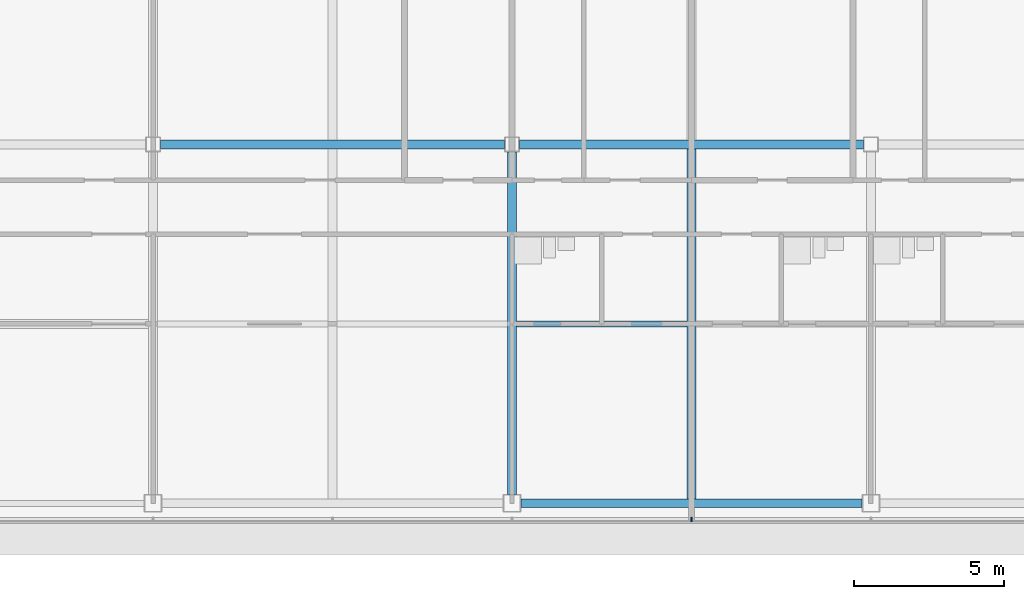
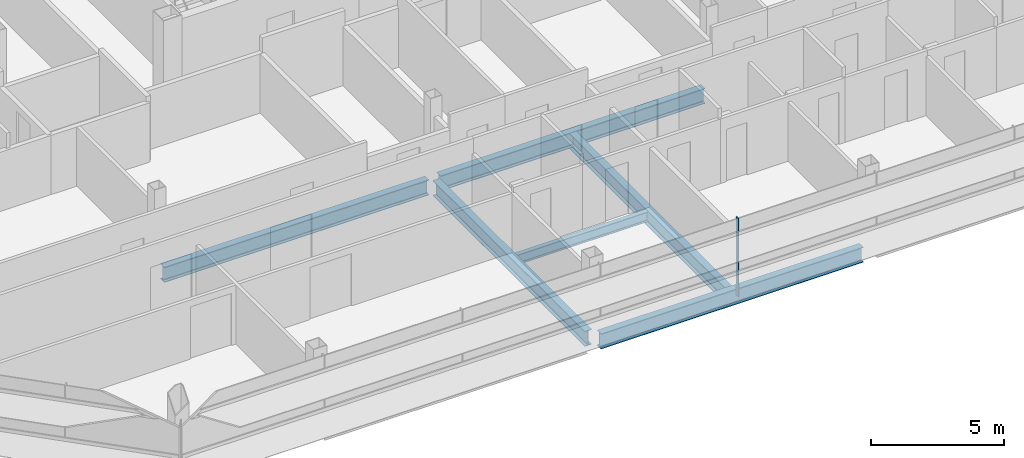
# One storey, part 4 of 28: 6 beams, 1 member, 1 element without a shape of its own.
"""IFC4 building model written with IfcOpenShell, lengths in metres."""

from ifc_helpers import new_model, si_unit, direction, frame, origin, origin_2d, place, context, subcontext, project, spatial, rectangle, i_section, extrude, material, material_profile, profile_set, type_object, element, aggregate, save


model = new_model("IFC4")

# Units and contexts
model_context = context("Model", 3, precision=1e-05, world=origin(), true_north=direction((0.0, 1.0)))
body_context = subcontext(model_context, "Body", "Model", "MODEL_VIEW")
ifc_project = project(units=[si_unit("LENGTHUNIT", "METRE"), si_unit("AREAUNIT", "SQUARE_METRE"), si_unit("VOLUMEUNIT", "CUBIC_METRE"), si_unit("PLANEANGLEUNIT", "RADIAN"), si_unit("MASSUNIT", "GRAM", prefix="KILO")], contexts=[model_context])

# Site, building, storey
site_placement = place(None, origin())
site = spatial("IfcSite", under=ifc_project, at=site_placement, CompositionType="ELEMENT")
building_placement = place(site_placement, origin())
building = spatial("IfcBuilding", under=site, at=building_placement, Name="Sorahane Residences", CompositionType="ELEMENT")
storey_placement = place(building_placement, frame((0.0, 0.0, 250.39990234375)))
storey = spatial("IfcBuildingStorey", under=building, at=storey_placement, Name="L59", CompositionType="ELEMENT", Elevation=250.39990234375)

# Curtain wall, member
ifc_material_1 = material(Name="Dark low-e glass and black anodised aluminium", Category="aluminium")
curtain_wall_type = type_object("IfcCurtainWallType", Name="Curtain wall CW-1 Typical unitised wall", PredefinedType="NOTDEFINED", material=ifc_material_1)
curtain_wall_placement = place(storey_placement, origin())
curtain_wall = element("IfcCurtainWall", 1, at=curtain_wall_placement, inside=storey, type_object=curtain_wall_type, Name="CW-1 curtain wall L59 S1", PredefinedType="NOTDEFINED")
ifc_material_2 = material(Name="Black anodised aluminium", Category="aluminium")
ifc_material_profile_1 = material_profile(ifc_material_2, rectangle(XDim=0.159912109375, YDim=0.050048828125, at=origin_2d()), Name="Curtain wall mullion CW-1 black anodised aluminium 50x160")
ifc_profile_set_1 = profile_set([ifc_material_profile_1], Name="Black anodised aluminium")
member_type = type_object("IfcMemberType", Name="Curtain wall mullion CW-1 black anodised aluminium 50x160", PredefinedType="MULLION", material=ifc_profile_set_1)
member_placement = place(storey_placement, frame((18.0, -0.5400390625, -0.179931640625), z_axis=(0.0, 0.0, 1.0), x_axis=(0.0, -1.0, 0.0)))
member = element("IfcMember", 2, at=member_placement, type_object=member_type, Name="CW-1 mullion L59 S1.5", PredefinedType="MULLION", context=body_context, shape_type="SweptSolid", body=[
    extrude(rectangle(XDim=0.159912109375, YDim=0.050048828125, at=origin_2d()), origin(), (0.0, 0.0, 1.0), 3.60009765625),
])
aggregate(curtain_wall, [member])

# Beams
ifc_material_3 = material(Name="Steel Q355B", Category="steel")
ifc_material_profile_2 = material_profile(ifc_material_3, i_section(OverallWidth=0.199951171875, OverallDepth=0.449951171875, WebThickness=0.009033203125, FlangeThickness=0.013916015625, FilletRadius=0.02001953125, at=origin_2d()), Name="HN 450x200x9x14")
ifc_profile_set_2 = profile_set([ifc_material_profile_2], Name="Steel Q355B")
beam_type_1 = type_object("IfcBeamType", Name="Steel floor beam HN 450x200x9x14 Q355B", PredefinedType="BEAM", material=ifc_profile_set_2)
beam_1_placement = place(storey_placement, frame((12.14990234375, 6.0, -0.40478515625), z_axis=(1.0, 0.0, 0.0), x_axis=(0.0, 1.0, 0.0)))
element("IfcBeam", 3, at=beam_1_placement, inside=storey, type_object=beam_type_1, Name="Beam L59 071", PredefinedType="BEAM", context=body_context, shape_type="SweptSolid", body=[
    extrude(i_section(OverallWidth=0.199951171875, OverallDepth=0.449951171875, WebThickness=0.009033203125, FlangeThickness=0.013916015625, FilletRadius=0.02001953125, at=origin_2d()), origin(), (0.0, 0.0, 1.0), 5.7001953125),
])
ifc_material_4 = material(Name="Steel Q355B", Category="steel")
ifc_material_profile_3 = material_profile(ifc_material_4, i_section(OverallWidth=0.300048828125, OverallDepth=0.699951171875, WebThickness=0.012939453125, FlangeThickness=0.02392578125, FilletRadius=0.028076171875, at=origin_2d()), Name="HN 700x300x13x24")
ifc_profile_set_3 = profile_set([ifc_material_profile_3], Name="Steel Q355B")
beam_type_2 = type_object("IfcBeamType", Name="Steel floor beam HN 700x300x13x24 Q355B", PredefinedType="BEAM", material=ifc_profile_set_3)
beam_2_placement = place(storey_placement, frame((12.300048828125, 0.0, -0.52978515625), z_axis=(1.0, 0.0, 0.0), x_axis=(0.0, 1.0, 0.0)))
element("IfcBeam", 4, at=beam_2_placement, inside=storey, type_object=beam_type_2, Name="Beam L59 002", PredefinedType="BEAM", context=body_context, shape_type="SweptSolid", body=[
    extrude(i_section(OverallWidth=0.300048828125, OverallDepth=0.699951171875, WebThickness=0.012939453125, FlangeThickness=0.02392578125, FilletRadius=0.028076171875, at=origin_2d()), origin(), (0.0, 0.0, 1.0), 11.39990234375),
])
for number, where, z_axis, x_axis, name in (
    (5, (0.25, 12.0, -0.52978515625), (1.0, 0.0, 0.0), (0.0, 1.0, 0.0), "Beam L59 006"),
    (6, (12.25, 12.0, -0.52978515625), (1.0, 0.0, 0.0), (0.0, 1.0, 0.0), "Beam L59 007"),
):
    element("IfcBeam", number, at=place(storey_placement, frame(where, z_axis=z_axis, x_axis=x_axis)), inside=storey, type_object=beam_type_2, Name=name, PredefinedType="BEAM", context=body_context, shape_type="SweptSolid", body=[
        extrude(i_section(OverallWidth=0.300048828125, OverallDepth=0.699951171875, WebThickness=0.012939453125, FlangeThickness=0.02392578125, FilletRadius=0.028076171875, at=origin_2d()), origin(), (0.0, 0.0, 1.0), 11.5),
    ])
beam_3_placement = place(storey_placement, frame((12.0, 0.300048828125, -0.52978515625), z_axis=(0.0, 1.0, 0.0), x_axis=(-1.0, 0.0, 0.0)))
element("IfcBeam", 7, at=beam_3_placement, inside=storey, type_object=beam_type_2, Name="Beam L59 034", PredefinedType="BEAM", context=body_context, shape_type="SweptSolid", body=[
    extrude(i_section(OverallWidth=0.300048828125, OverallDepth=0.699951171875, WebThickness=0.012939453125, FlangeThickness=0.02392578125, FilletRadius=0.028076171875, at=origin_2d()), origin(), (0.0, 0.0, 1.0), 11.449951171875),
])
beam_4_placement = place(storey_placement, frame((18.0, 0.14990234375, -0.52978515625), z_axis=(0.0, 1.0, 0.0), x_axis=(-1.0, 0.0, 0.0)))
element("IfcBeam", 8, at=beam_4_placement, inside=storey, type_object=beam_type_2, Name="Beam L59 036", PredefinedType="BEAM", context=body_context, shape_type="SweptSolid", body=[
    extrude(i_section(OverallWidth=0.300048828125, OverallDepth=0.699951171875, WebThickness=0.012939453125, FlangeThickness=0.02392578125, FilletRadius=0.028076171875, at=origin_2d()), origin(), (0.0, 0.0, 1.0), 11.7001953125),
])

save(model, "model.ifc")
